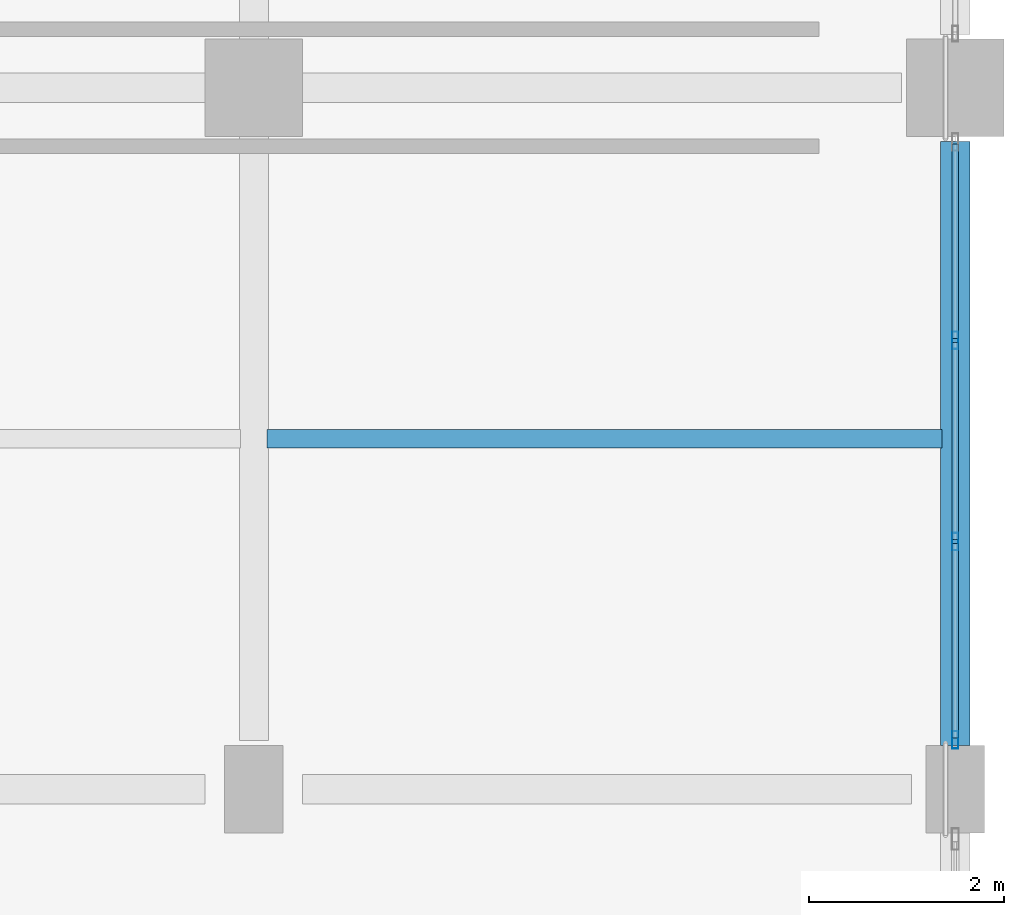
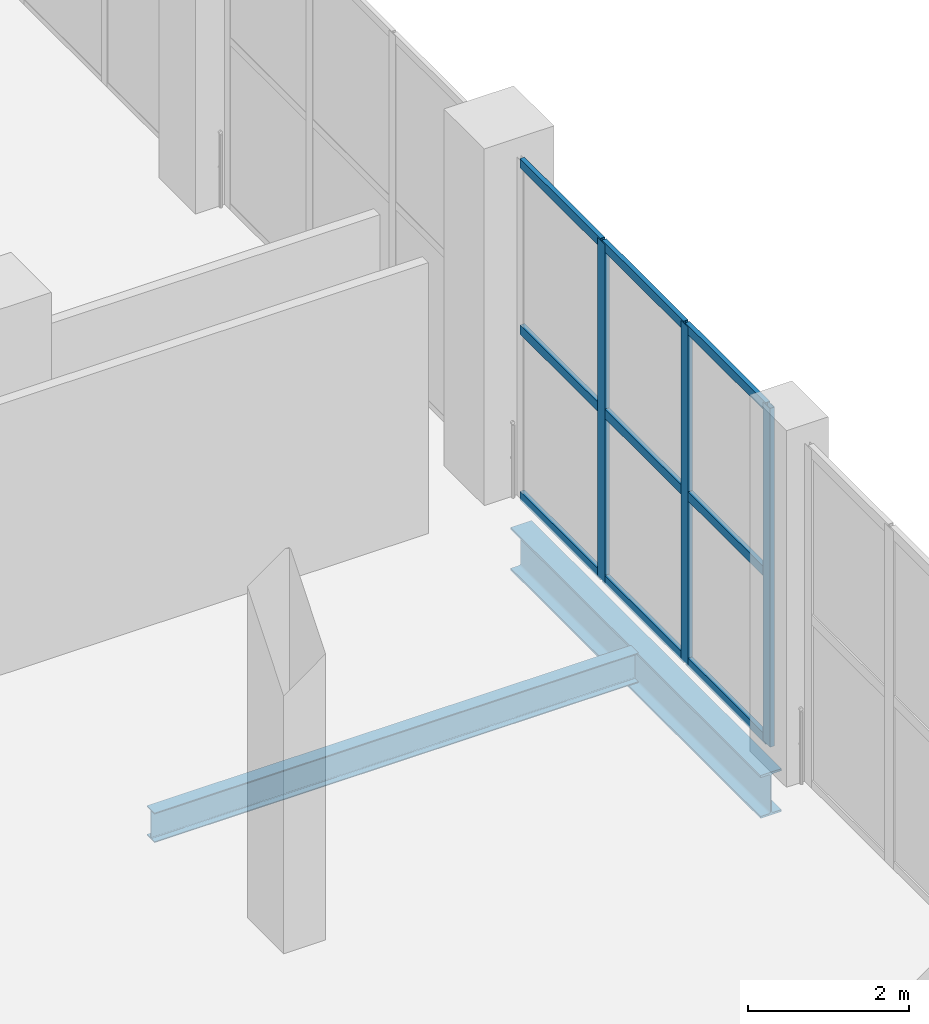
# One storey, part 18 of 58: 12 members, 2 beams, 1 element without a shape of its own.
"""IFC4 building model written with IfcOpenShell, lengths in metres."""

from ifc_helpers import new_model, si_unit, direction, frame, origin, origin_2d, place, context, subcontext, project, spatial, hollow_rectangle, i_section, extrude, material, material_profile, profile_set, type_object, element, aggregate, save


model = new_model("IFC4")

# Units and contexts
model_context = context("Model", 3, precision=1e-05, world=origin(), true_north=direction((0.0, 1.0)))
body_context = subcontext(model_context, "Body", "Model", "MODEL_VIEW")
ifc_project = project(units=[si_unit("LENGTHUNIT", "METRE"), si_unit("AREAUNIT", "SQUARE_METRE"), si_unit("VOLUMEUNIT", "CUBIC_METRE"), si_unit("PLANEANGLEUNIT", "RADIAN"), si_unit("MASSUNIT", "GRAM", prefix="KILO")], contexts=[model_context])

# Site, building, storey
site_placement = place(None, origin())
site = spatial("IfcSite", under=ifc_project, at=site_placement, CompositionType="ELEMENT")
building_placement = place(site_placement, origin())
building = spatial("IfcBuilding", under=site, at=building_placement, Name="Qandorah Velis Arena", CompositionType="ELEMENT")
storey_placement = place(building_placement, origin())
storey = spatial("IfcBuildingStorey", under=building, at=storey_placement, Name="L00", CompositionType="ELEMENT", Elevation=0.0)

# Curtain wall, members
ifc_material_1 = material(Name="Solar-control low-E double glazing", Category="glass")
curtain_wall_type = type_object("IfcCurtainWallType", Name="ARC-CW-SYS14", PredefinedType="USERDEFINED", material=ifc_material_1)
curtain_wall_placement = place(storey_placement, origin())
curtain_wall = element("IfcCurtainWall", 1, at=curtain_wall_placement, inside=storey, type_object=curtain_wall_type, Name="Unitised curtain wall L00-134", ObjectType="UNITISED CURTAIN WALL", PredefinedType="USERDEFINED")
ifc_material_2 = material(Name="Champagne-bronze anodized aluminium 6063-T6", Category="aluminium")
ifc_material_profile_1 = material_profile(ifc_material_2, hollow_rectangle(XDim=0.06494140625, YDim=0.179931640625, WallThickness=0.00341796875, at=origin_2d()), Name="ALU MULLION 65x180")
ifc_profile_set_1 = profile_set([ifc_material_profile_1], Name="Champagne-bronze anodized aluminium 6063-T6")
member_type_1 = type_object("IfcMemberType", Name="ARC-CWM-180", PredefinedType="MULLION", material=ifc_profile_set_1)
member_1_placement = place(storey_placement, frame((172.800048828125, 58.107421875, -0.014892578125), z_axis=(0.0, 0.0, 1.0), x_axis=(-1.0, 0.0, 0.0)))
member_1 = element("IfcMember", 2, at=member_1_placement, type_object=member_type_1, Name="CW14 mullion 1", PredefinedType="MULLION", context=body_context, shape_type="SweptSolid", body=[
    extrude(hollow_rectangle(XDim=0.06494140625, YDim=0.179931640625, WallThickness=0.00341796875, at=origin_2d()), origin(), (0.0, 0.0, 1.0), 5.1298828125),
])
member_2_placement = place(storey_placement, frame((172.800048828125, 60.1416015625, -0.014892578125), z_axis=(0.0, 0.0, 1.0), x_axis=(-1.0, 0.0, 0.0)))
member_2 = element("IfcMember", 3, at=member_2_placement, type_object=member_type_1, Name="CW14 mullion 2", PredefinedType="MULLION", context=body_context, shape_type="SweptSolid", body=[
    extrude(hollow_rectangle(XDim=0.06494140625, YDim=0.179931640625, WallThickness=0.00341796875, at=origin_2d()), origin(), (0.0, 0.0, 1.0), 5.1298828125),
])
member_3_placement = place(storey_placement, frame((172.800048828125, 62.208251953125, -0.014892578125), z_axis=(0.0, 0.0, 1.0), x_axis=(-1.0, 0.0, 0.0)))
member_3 = element("IfcMember", 4, at=member_3_placement, type_object=member_type_1, Name="CW14 mullion 3", PredefinedType="MULLION", context=body_context, shape_type="SweptSolid", body=[
    extrude(hollow_rectangle(XDim=0.06494140625, YDim=0.179931640625, WallThickness=0.00341796875, at=origin_2d()), origin(), (0.0, 0.0, 1.0), 5.1298828125),
])
ifc_material_profile_2 = material_profile(ifc_material_2, hollow_rectangle(XDim=0.06494140625, YDim=0.139892578125, WallThickness=0.0029296875, at=origin_2d()), Name="ALU TRANSOM 65x140")
ifc_profile_set_2 = profile_set([ifc_material_profile_2], Name="Champagne-bronze anodized aluminium 6063-T6")
member_type_2 = type_object("IfcMemberType", Name="ARC-CWT-140", PredefinedType="USERDEFINED", material=ifc_profile_set_2)
member_4_placement = place(storey_placement, frame((172.800048828125, 58.1279296875, 0.032470703125), z_axis=(0.0, 1.0, 0.0), x_axis=(-1.0, 0.0, 0.0)))
member_4 = element("IfcMember", 5, at=member_4_placement, type_object=member_type_2, Name="CW14 transom 1.1", ObjectType="TRANSOM", PredefinedType="USERDEFINED", context=body_context, shape_type="SweptSolid", body=[
    extrude(hollow_rectangle(XDim=0.06494140625, YDim=0.139892578125, WallThickness=0.0029296875, at=origin_2d()), origin(), (0.0, 0.0, 1.0), 1.9931640625),
])
member_5_placement = place(storey_placement, frame((172.800048828125, 58.1279296875, 2.550048828125), z_axis=(0.0, 1.0, 0.0), x_axis=(-1.0, 0.0, 0.0)))
member_5 = element("IfcMember", 6, at=member_5_placement, type_object=member_type_2, Name="CW14 transom 1.2", ObjectType="TRANSOM", PredefinedType="USERDEFINED", context=body_context, shape_type="SweptSolid", body=[
    extrude(hollow_rectangle(XDim=0.06494140625, YDim=0.139892578125, WallThickness=0.0029296875, at=origin_2d()), origin(), (0.0, 0.0, 1.0), 1.9931640625),
])
member_6_placement = place(storey_placement, frame((172.800048828125, 58.1279296875, 5.0673828125), z_axis=(0.0, 1.0, 0.0), x_axis=(-1.0, 0.0, 0.0)))
member_6 = element("IfcMember", 7, at=member_6_placement, type_object=member_type_2, Name="CW14 transom 1.3", ObjectType="TRANSOM", PredefinedType="USERDEFINED", context=body_context, shape_type="SweptSolid", body=[
    extrude(hollow_rectangle(XDim=0.06494140625, YDim=0.139892578125, WallThickness=0.0029296875, at=origin_2d()), origin(), (0.0, 0.0, 1.0), 1.9931640625),
])
member_7_placement = place(storey_placement, frame((172.800048828125, 60.162109375, 0.032470703125), z_axis=(0.0, 1.0, 0.0), x_axis=(-1.0, 0.0, 0.0)))
member_7 = element("IfcMember", 8, at=member_7_placement, type_object=member_type_2, Name="CW14 transom 2.1", ObjectType="TRANSOM", PredefinedType="USERDEFINED", context=body_context, shape_type="SweptSolid", body=[
    extrude(hollow_rectangle(XDim=0.06494140625, YDim=0.139892578125, WallThickness=0.0029296875, at=origin_2d()), origin(), (0.0, 0.0, 1.0), 2.025634765625),
])
member_8_placement = place(storey_placement, frame((172.800048828125, 60.162109375, 2.550048828125), z_axis=(0.0, 1.0, 0.0), x_axis=(-1.0, 0.0, 0.0)))
member_8 = element("IfcMember", 9, at=member_8_placement, type_object=member_type_2, Name="CW14 transom 2.2", ObjectType="TRANSOM", PredefinedType="USERDEFINED", context=body_context, shape_type="SweptSolid", body=[
    extrude(hollow_rectangle(XDim=0.06494140625, YDim=0.139892578125, WallThickness=0.0029296875, at=origin_2d()), origin(), (0.0, 0.0, 1.0), 2.025634765625),
])
member_9_placement = place(storey_placement, frame((172.800048828125, 60.162109375, 5.0673828125), z_axis=(0.0, 1.0, 0.0), x_axis=(-1.0, 0.0, 0.0)))
member_9 = element("IfcMember", 10, at=member_9_placement, type_object=member_type_2, Name="CW14 transom 2.3", ObjectType="TRANSOM", PredefinedType="USERDEFINED", context=body_context, shape_type="SweptSolid", body=[
    extrude(hollow_rectangle(XDim=0.06494140625, YDim=0.139892578125, WallThickness=0.0029296875, at=origin_2d()), origin(), (0.0, 0.0, 1.0), 2.025634765625),
])
member_10_placement = place(storey_placement, frame((172.800048828125, 62.228759765625, 0.032470703125), z_axis=(0.0, 1.0, 0.0), x_axis=(-1.0, 0.0, 0.0)))
member_10 = element("IfcMember", 11, at=member_10_placement, type_object=member_type_2, Name="CW14 transom 3.1", ObjectType="TRANSOM", PredefinedType="USERDEFINED", context=body_context, shape_type="SweptSolid", body=[
    extrude(hollow_rectangle(XDim=0.06494140625, YDim=0.139892578125, WallThickness=0.0029296875, at=origin_2d()), origin(), (0.0, 0.0, 1.0), 1.9931640625),
])
member_11_placement = place(storey_placement, frame((172.800048828125, 62.228759765625, 2.550048828125), z_axis=(0.0, 1.0, 0.0), x_axis=(-1.0, 0.0, 0.0)))
member_11 = element("IfcMember", 12, at=member_11_placement, type_object=member_type_2, Name="CW14 transom 3.2", ObjectType="TRANSOM", PredefinedType="USERDEFINED", context=body_context, shape_type="SweptSolid", body=[
    extrude(hollow_rectangle(XDim=0.06494140625, YDim=0.139892578125, WallThickness=0.0029296875, at=origin_2d()), origin(), (0.0, 0.0, 1.0), 1.9931640625),
])
member_12_placement = place(storey_placement, frame((172.800048828125, 62.228759765625, 5.0673828125), z_axis=(0.0, 1.0, 0.0), x_axis=(-1.0, 0.0, 0.0)))
member_12 = element("IfcMember", 13, at=member_12_placement, type_object=member_type_2, Name="CW14 transom 3.3", ObjectType="TRANSOM", PredefinedType="USERDEFINED", context=body_context, shape_type="SweptSolid", body=[
    extrude(hollow_rectangle(XDim=0.06494140625, YDim=0.139892578125, WallThickness=0.0029296875, at=origin_2d()), origin(), (0.0, 0.0, 1.0), 1.9931640625),
])
aggregate(curtain_wall, [member_1, member_2, member_3, member_4, member_5, member_6, member_7, member_8, member_9, member_10, member_11, member_12])

# Beams
ifc_material_3 = material(Name="Steel S355", Category="steel")
ifc_material_profile_3 = material_profile(ifc_material_3, i_section(OverallWidth=0.300048828125, OverallDepth=0.64990234375, WebThickness=0.01611328125, FlangeThickness=0.031005859375, FilletRadius=0.027099609375, at=origin_2d()), Name="HEB 650")
ifc_profile_set_3 = profile_set([ifc_material_profile_3], Name="Steel S355")
beam_type_1 = type_object("IfcBeamType", Name="STR-BM-HEB650", PredefinedType="BEAM", material=ifc_profile_set_3)
beam_1_placement = place(storey_placement, frame((172.800048828125, 58.050048828125, -0.7451171875), z_axis=(0.0, 1.0, 0.0), x_axis=(-1.0, 0.0, 0.0)))
element("IfcBeam", 14, at=beam_1_placement, inside=storey, type_object=beam_type_1, Name="Primary floor girder L00 Y-527", PredefinedType="BEAM", context=body_context, shape_type="SweptSolid", body=[
    extrude(i_section(OverallWidth=0.300048828125, OverallDepth=0.64990234375, WebThickness=0.01611328125, FlangeThickness=0.031005859375, FilletRadius=0.027099609375, at=origin_2d()), origin(), (0.0, 0.0, 1.0), 6.199951171875),
])
ifc_material_profile_4 = material_profile(ifc_material_3, i_section(OverallWidth=0.18994140625, OverallDepth=0.449951171875, WebThickness=0.009521484375, FlangeThickness=0.0146484375, FilletRadius=0.02099609375, at=origin_2d()), Name="IPE 450")
ifc_profile_set_4 = profile_set([ifc_material_profile_4], Name="Steel S355")
beam_type_2 = type_object("IfcBeamType", Name="STR-JST-IPE450", PredefinedType="JOIST", material=ifc_profile_set_4)
beam_2_placement = place(storey_placement, frame((165.735107421875, 61.199951171875, -0.64501953125), z_axis=(1.0, 0.0, 0.0), x_axis=(0.0, 1.0, 0.0)))
element("IfcBeam", 15, at=beam_2_placement, inside=storey, type_object=beam_type_2, Name="Secondary floor joist L00-201", PredefinedType="JOIST", context=body_context, shape_type="SweptSolid", body=[
    extrude(i_section(OverallWidth=0.18994140625, OverallDepth=0.449951171875, WebThickness=0.009521484375, FlangeThickness=0.0146484375, FilletRadius=0.02099609375, at=origin_2d()), origin(), (0.0, 0.0, 1.0), 6.929931640625),
])

save(model, "model.ifc")
